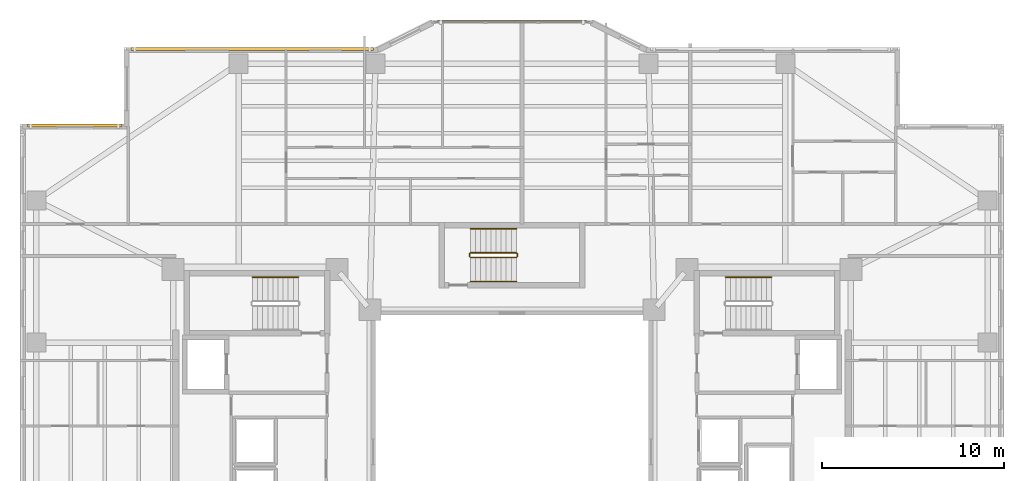
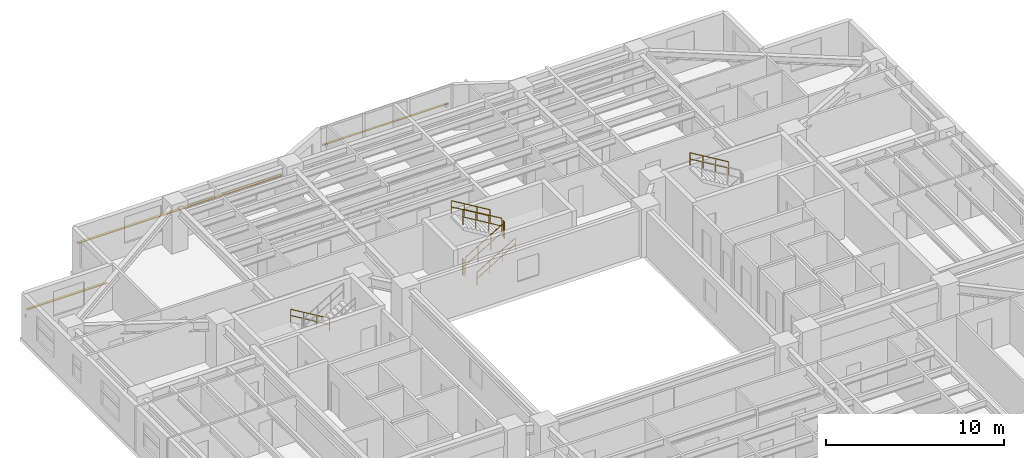
# One storey, part 17 of 18: 8 railings, 3 shading devices.
"""IFC4 building model written with IfcOpenShell, lengths in metres."""

from ifc_helpers import new_model, si_unit, direction, frame, origin, origin_2d, place, context, subcontext, project, spatial, rectangle, circle, extrude, material, material_profile, profile_set, type_object, element, save


model = new_model("IFC4")

# Units and contexts
model_context = context("Model", 3, precision=1e-05, world=origin(), true_north=direction((0.0, 1.0)))
body_context = subcontext(model_context, "Body", "Model", "MODEL_VIEW")
ifc_project = project(units=[si_unit("LENGTHUNIT", "METRE"), si_unit("AREAUNIT", "SQUARE_METRE"), si_unit("VOLUMEUNIT", "CUBIC_METRE"), si_unit("PLANEANGLEUNIT", "RADIAN"), si_unit("MASSUNIT", "GRAM", prefix="KILO")], contexts=[model_context])

# Site, building, storey
site_placement = place(None, origin())
site = spatial("IfcSite", under=ifc_project, at=site_placement, CompositionType="ELEMENT")
building_placement = place(site_placement, origin())
building = spatial("IfcBuilding", under=site, at=building_placement, Name="Tarnavaz Court Tower", CompositionType="ELEMENT")
storey_placement = place(building_placement, frame((0.0, 0.0, 91.699951171875)))
storey = spatial("IfcBuildingStorey", under=building, at=storey_placement, Name="L24", CompositionType="ELEMENT", Elevation=91.699951171875)

# Railings
ifc_material_1 = material(Name="Brushed Stainless Steel", Category="steel")
railing_type_1 = type_object("IfcRailingType", Name="RL-HANDRAIL-900", PredefinedType="HANDRAIL", material=ifc_material_1)
for number, where, name in (
    (1, (-11.719970703125, 9.590087890625, 0.16748046875), "L24 ST-W1 stair handrail 1"),
    (2, (14.239990234375, 9.590087890625, 1.842529296875), "L24 ST-E1 stair handrail 2"),
):
    element("IfcRailing", number, at=place(storey_placement, frame(where)), inside=storey, type_object=railing_type_1, Name=name, PredefinedType="HANDRAIL", context=body_context, shape_type="SweptSolid", body=[
        extrude(circle(Radius=0.02392578125, at=origin_2d()), frame((0.0, 0.0, 0.8759765625), z_axis=(-0.858159760407, 0.0, 0.513382728203), x_axis=(0.0, -1.0, 0.0)), (0.0, 0.0, 1.0), 2.9365234375),
        extrude(circle(Radius=0.02392578125, at=origin_2d()), frame((0.0, 0.0, 0.449951171875), z_axis=(-0.858159760407, 0.0, 0.513382728203), x_axis=(0.0, -1.0, 0.0)), (0.0, 0.0, 1.0), 2.9365234375),
        extrude(circle(Radius=0.02099609375, at=origin_2d()), origin(), (0.0, 0.0, 1.0), 0.851806640625),
        extrude(circle(Radius=0.02099609375, at=origin_2d()), frame((-0.840087890625, 0.0, 0.50244140625)), (0.0, 0.0, 1.0), 0.851806640625),
        extrude(circle(Radius=0.02099609375, at=origin_2d()), frame((-1.679931640625, 0.0, 1.005126953125)), (0.0, 0.0, 1.0), 0.851806640625),
        extrude(circle(Radius=0.02099609375, at=origin_2d()), frame((-2.52001953125, 0.0, 1.507568359375)), (0.0, 0.0, 1.0), 0.851806640625),
    ])
railing_1_placement = place(storey_placement, frame((-2.280029296875, 9.35009765625, 0.16748046875)))
element("IfcRailing", 3, at=railing_1_placement, inside=storey, type_object=railing_type_1, Name="L24 ST-N1 stair handrail 1", PredefinedType="HANDRAIL", context=body_context, shape_type="SweptSolid", body=[
    extrude(circle(Radius=0.02392578125, at=origin_2d()), frame((0.0, 0.0, 0.8759765625), z_axis=(0.858159760407, 0.0, 0.513382728203), x_axis=(0.0, 1.0, 0.0)), (0.0, 0.0, 1.0), 2.9365234375),
    extrude(circle(Radius=0.02392578125, at=origin_2d()), frame((0.0, 0.0, 0.449951171875), z_axis=(0.858159760407, 0.0, 0.513382728203), x_axis=(0.0, 1.0, 0.0)), (0.0, 0.0, 1.0), 2.9365234375),
    extrude(circle(Radius=0.02099609375, at=origin_2d()), origin(), (0.0, 0.0, 1.0), 0.851806640625),
    extrude(circle(Radius=0.02099609375, at=origin_2d()), frame((0.840087890625, 0.0, 0.50244140625)), (0.0, 0.0, 1.0), 0.851806640625),
    extrude(circle(Radius=0.02099609375, at=origin_2d()), frame((1.679931640625, 0.0, 1.005126953125)), (0.0, 0.0, 1.0), 0.851806640625),
    extrude(circle(Radius=0.02099609375, at=origin_2d()), frame((2.52001953125, 0.0, 1.507568359375)), (0.0, 0.0, 1.0), 0.851806640625),
])
railing_2_placement = place(storey_placement, frame((0.239990234375, 12.239990234375, 1.842529296875)))
element("IfcRailing", 4, at=railing_2_placement, inside=storey, type_object=railing_type_1, Name="L24 ST-N1 stair handrail 2", PredefinedType="HANDRAIL", context=body_context, shape_type="SweptSolid", body=[
    extrude(circle(Radius=0.02392578125, at=origin_2d()), frame((0.0, 0.0, 0.8759765625), z_axis=(-0.858159760407, 0.0, 0.513382728203), x_axis=(0.0, -1.0, 0.0)), (0.0, 0.0, 1.0), 2.9365234375),
    extrude(circle(Radius=0.02392578125, at=origin_2d()), frame((0.0, 0.0, 0.449951171875), z_axis=(-0.858159760407, 0.0, 0.513382728203), x_axis=(0.0, -1.0, 0.0)), (0.0, 0.0, 1.0), 2.9365234375),
    extrude(circle(Radius=0.02099609375, at=origin_2d()), origin(), (0.0, 0.0, 1.0), 0.851806640625),
    extrude(circle(Radius=0.02099609375, at=origin_2d()), frame((-0.840087890625, 0.0, 0.50244140625)), (0.0, 0.0, 1.0), 0.851806640625),
    extrude(circle(Radius=0.02099609375, at=origin_2d()), frame((-1.679931640625, 0.0, 1.005126953125)), (0.0, 0.0, 1.0), 0.851806640625),
    extrude(circle(Radius=0.02099609375, at=origin_2d()), frame((-2.52001953125, 0.0, 1.507568359375)), (0.0, 0.0, 1.0), 0.851806640625),
])
ifc_material_2 = material(Name="Galvanized Painted Tubular Steel", Category="steel")
railing_type_2 = type_object("IfcRailingType", Name="RL-STGUARD-1120", PredefinedType="GUARDRAIL", material=ifc_material_2)
railing_3_placement = place(storey_placement, frame((-2.280029296875, 10.669921875, 0.16748046875)))
element("IfcRailing", 5, at=railing_3_placement, inside=storey, type_object=railing_type_2, Name="L24 ST-N1 stair guard 1", PredefinedType="GUARDRAIL", context=body_context, shape_type="SweptSolid", body=[
    extrude(circle(Radius=0.02392578125, at=origin_2d()), frame((0.0, 0.0, 1.09619140625), z_axis=(0.858159760407, 0.0, 0.513382728203), x_axis=(0.0, 1.0, 0.0)), (0.0, 0.0, 1.0), 2.9365234375),
    extrude(circle(Radius=0.02392578125, at=origin_2d()), frame((0.0, 0.0, 0.56005859375), z_axis=(0.858159760407, 0.0, 0.513382728203), x_axis=(0.0, 1.0, 0.0)), (0.0, 0.0, 1.0), 2.9365234375),
    extrude(circle(Radius=0.02099609375, at=origin_2d()), origin(), (0.0, 0.0, 1.0), 1.072021484375),
    extrude(circle(Radius=0.02099609375, at=origin_2d()), frame((0.840087890625, 0.0, 0.50244140625)), (0.0, 0.0, 1.0), 1.072021484375),
    extrude(circle(Radius=0.02099609375, at=origin_2d()), frame((1.679931640625, 0.0, 1.005126953125)), (0.0, 0.0, 1.0), 1.072021484375),
    extrude(circle(Radius=0.02099609375, at=origin_2d()), frame((2.52001953125, 0.0, 1.507568359375)), (0.0, 0.0, 1.0), 1.072021484375),
])
railing_4_placement = place(storey_placement, frame((0.2900390625, 10.719970703125, 1.675048828125)))
element("IfcRailing", 6, at=railing_4_placement, inside=storey, type_object=railing_type_2, Name="L24 ST-N1 stair guard 2", PredefinedType="GUARDRAIL", context=body_context, shape_type="SweptSolid", body=[
    extrude(circle(Radius=0.02392578125, at=origin_2d()), frame((0.0, 0.0, 1.09619140625), z_axis=(0.0, 1.0, 0.0), x_axis=(-1.0, 0.0, 0.0)), (0.0, 0.0, 1.0), 0.150146484375),
    extrude(circle(Radius=0.02392578125, at=origin_2d()), frame((0.0, 0.0, 0.56005859375), z_axis=(0.0, 1.0, 0.0), x_axis=(-1.0, 0.0, 0.0)), (0.0, 0.0, 1.0), 0.150146484375),
    extrude(circle(Radius=0.02099609375, at=origin_2d()), origin(), (0.0, 0.0, 1.0), 1.072021484375),
    extrude(circle(Radius=0.02099609375, at=origin_2d()), frame((0.0, 0.150146484375, 0.0)), (0.0, 0.0, 1.0), 1.072021484375),
])
railing_5_placement = place(storey_placement, frame((0.239990234375, 10.919921875, 1.842529296875)))
element("IfcRailing", 7, at=railing_5_placement, inside=storey, type_object=railing_type_2, Name="L24 ST-N1 stair guard 3", PredefinedType="GUARDRAIL", context=body_context, shape_type="SweptSolid", body=[
    extrude(circle(Radius=0.02392578125, at=origin_2d()), frame((0.0, 0.0, 1.09619140625), z_axis=(-0.858159760407, 0.0, 0.513382728203), x_axis=(0.0, -1.0, 0.0)), (0.0, 0.0, 1.0), 2.9365234375),
    extrude(circle(Radius=0.02392578125, at=origin_2d()), frame((0.0, 0.0, 0.56005859375), z_axis=(-0.858159760407, 0.0, 0.513382728203), x_axis=(0.0, -1.0, 0.0)), (0.0, 0.0, 1.0), 2.9365234375),
    extrude(circle(Radius=0.02099609375, at=origin_2d()), origin(), (0.0, 0.0, 1.0), 1.072021484375),
    extrude(circle(Radius=0.02099609375, at=origin_2d()), frame((-0.840087890625, 0.0, 0.50244140625)), (0.0, 0.0, 1.0), 1.072021484375),
    extrude(circle(Radius=0.02099609375, at=origin_2d()), frame((-1.679931640625, 0.0, 1.005126953125)), (0.0, 0.0, 1.0), 1.072021484375),
    extrude(circle(Radius=0.02099609375, at=origin_2d()), frame((-2.52001953125, 0.0, 1.507568359375)), (0.0, 0.0, 1.0), 1.072021484375),
])
railing_6_placement = place(storey_placement, frame((-2.330078125, 10.719970703125, 0.0)))
element("IfcRailing", 8, at=railing_6_placement, inside=storey, type_object=railing_type_2, Name="L24 ST-N1 stair guard 4", PredefinedType="GUARDRAIL", context=body_context, shape_type="SweptSolid", body=[
    extrude(circle(Radius=0.02392578125, at=origin_2d()), frame((0.0, 0.0, 1.09619140625), z_axis=(0.0, 1.0, 0.0), x_axis=(-1.0, 0.0, 0.0)), (0.0, 0.0, 1.0), 0.150146484375),
    extrude(circle(Radius=0.02392578125, at=origin_2d()), frame((0.0, 0.0, 0.56005859375), z_axis=(0.0, 1.0, 0.0), x_axis=(-1.0, 0.0, 0.0)), (0.0, 0.0, 1.0), 0.150146484375),
    extrude(circle(Radius=0.02099609375, at=origin_2d()), origin(), (0.0, 0.0, 1.0), 1.072021484375),
    extrude(circle(Radius=0.02099609375, at=origin_2d()), frame((0.0, 0.150146484375, 0.0)), (0.0, 0.0, 1.0), 1.072021484375),
])

# Shading devices
ifc_material_3 = material(Name="Kiln-Fired Khorasan Terracotta Ceramic", Category="masonry")
ifc_material_profile_1 = material_profile(ifc_material_3, rectangle(XDim=0.1201171875, YDim=0.06005859375, at=origin_2d()), Name="TC BAGUETTE 120X60")
ifc_profile_set_1 = profile_set([ifc_material_profile_1], Name="Kiln-Fired Khorasan Terracotta Ceramic")
shading_device_type_1 = type_object("IfcShadingDeviceType", Name="SD-BAG-120", PredefinedType="USERDEFINED", material=ifc_profile_set_1)
shading_device_1_placement = place(storey_placement, frame((-4.10009765625, 23.610107421875, 1.800048828125), z_axis=(1.0, 0.0, 0.0), x_axis=(0.0, 1.0, 0.0)))
element("IfcShadingDevice", 9, at=shading_device_1_placement, inside=storey, type_object=shading_device_type_1, Name="L24 Terracotta Baguette Screen PBG7", ObjectType="BAGUETTE", PredefinedType="USERDEFINED", context=body_context, shape_type="SweptSolid", body=[
    extrude(rectangle(XDim=0.1201171875, YDim=0.06005859375, at=origin_2d()), origin(), (0.0, 0.0, 1.0), 8.2001953125),
])
ifc_material_profile_2 = material_profile(ifc_material_3, rectangle(XDim=0.14990234375, YDim=0.06494140625, at=origin_2d()), Name="TC BAGUETTE 150X65")
ifc_profile_set_2 = profile_set([ifc_material_profile_2], Name="Kiln-Fired Khorasan Terracotta Ceramic")
shading_device_type_2 = type_object("IfcShadingDeviceType", Name="SD-BAG-150", PredefinedType="USERDEFINED", material=ifc_profile_set_2)
shading_device_2_placement = place(storey_placement, frame((-26.60009765625, 17.909912109375, 1.85009765625), z_axis=(1.0, 0.0, 0.0), x_axis=(0.0, 1.0, 0.0)))
element("IfcShadingDevice", 10, at=shading_device_2_placement, inside=storey, type_object=shading_device_type_2, Name="L24 Terracotta Baguette Screen FBG03", ObjectType="BAGUETTE", PredefinedType="USERDEFINED", context=body_context, shape_type="SweptSolid", body=[
    extrude(rectangle(XDim=0.14990234375, YDim=0.06494140625, at=origin_2d()), origin(), (0.0, 0.0, 1.0), 5.2001953125),
])
shading_device_3_placement = place(storey_placement, frame((-20.89990234375, 22.110107421875, 1.85009765625), z_axis=(1.0, 0.0, 0.0), x_axis=(0.0, 1.0, 0.0)))
element("IfcShadingDevice", 11, at=shading_device_3_placement, inside=storey, type_object=shading_device_type_2, Name="L24 Terracotta Baguette Screen FBG05", ObjectType="BAGUETTE", PredefinedType="USERDEFINED", context=body_context, shape_type="SweptSolid", body=[
    extrude(rectangle(XDim=0.14990234375, YDim=0.06494140625, at=origin_2d()), origin(), (0.0, 0.0, 1.0), 13.2998046875),
])

save(model, "model.ifc")
